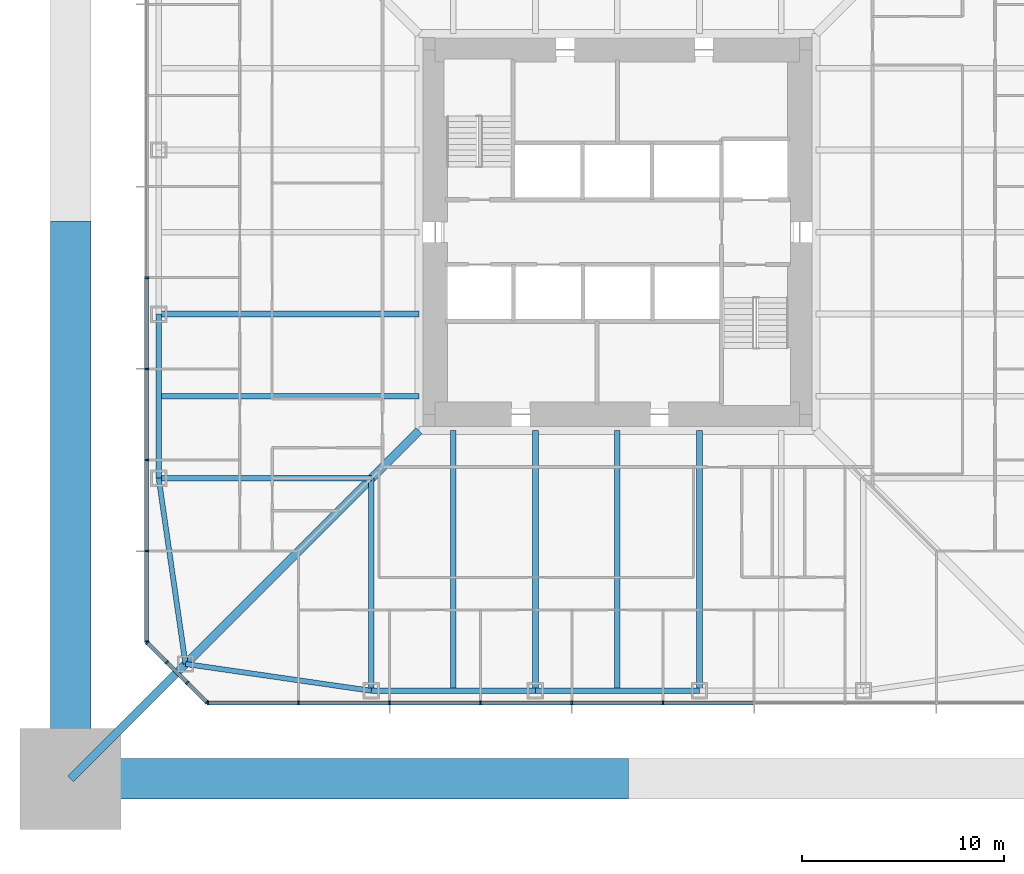
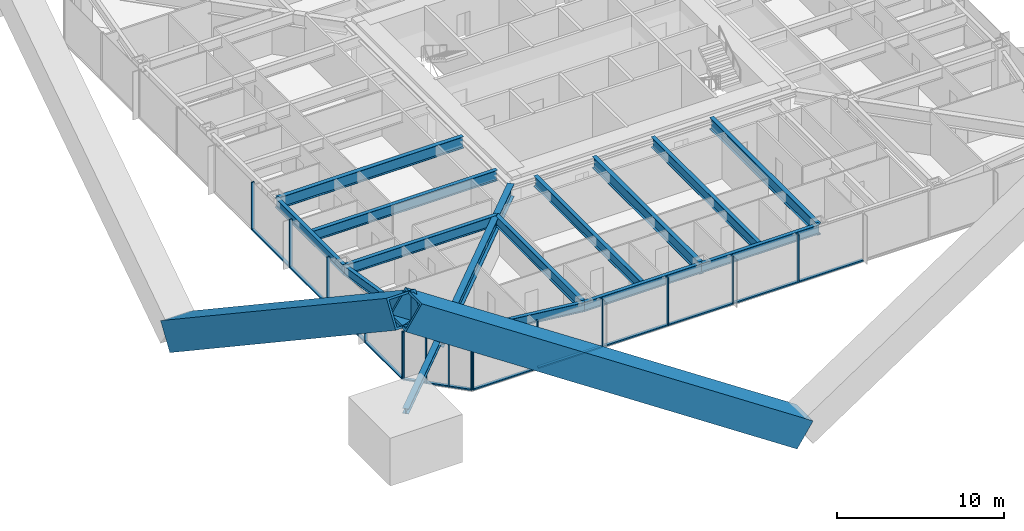
# One storey, part 3 of 27: 31 members, 14 beams, 3 elements without a shape of their own.
"""IFC4 building model written with IfcOpenShell, lengths in metres."""

import ifcopenshell
import ifcopenshell.guid

model = None  # the IFC model being written
_history = None  # IfcOwnerHistory: only IFC2X3 demands one
_inside = {}  # id of a spatial element -> (the spatial element, [elements in it])
_under = {}  # id of a project, library or spatial element -> (it, [spatial elements below it])
_declared = {}  # id of a project -> (the project, [libraries it declares])
_typed = {}  # id of a type object -> (the type object, [elements of that type])
_made_of = {}  # id of a material, layer set ... -> (it, [elements and type objects made of it])


def new_model(schema):
    """Start an empty IFC model of exactly this schema.

    Asked for "IFC4X3", IfcOpenShell would pick the latest addendum, in which some entities
    have other attributes; the version numbers below select the first issue.
    IFC2X3 requires an IfcOwnerHistory on every rooted entity: one is made here for all.
    """
    global model, _history
    if schema == "IFC4X3":
        model = ifcopenshell.file(schema_version=(4, 3, 0, 0))
    else:
        model = ifcopenshell.file(schema=schema)
    _inside.clear()
    _under.clear()
    _declared.clear()
    _typed.clear()
    _made_of.clear()
    _history = None
    if model.schema == "IFC2X3":
        org = make("IfcOrganization", Name="unknown")
        user = make(
            "IfcPersonAndOrganization",
            ThePerson=make("IfcPerson", FamilyName="unknown"),
            TheOrganization=org,
        )
        app = make(
            "IfcApplication",
            ApplicationDeveloper=org,
            Version="unknown",
            ApplicationFullName="unknown",
            ApplicationIdentifier="unknown",
        )
        _history = make(
            "IfcOwnerHistory",
            OwningUser=user,
            OwningApplication=app,
            ChangeAction="ADDED",
            CreationDate=0,
        )
    return model


def make(cls, **values):
    """One entity of the class cls with the attributes given. An attribute that is None is left unset."""
    return model.create_entity(
        cls, **{name: value for name, value in values.items() if value is not None}
    )


def rooted(cls, **values):
    """An entity with a GlobalId (a new one), such as an element, a storey or a relation."""
    return make(cls, GlobalId=ifcopenshell.guid.new(), OwnerHistory=_history, **values)


def si_unit(unit_type, name, prefix=None):
    """IfcSIUnit, for example si_unit("LENGTHUNIT", "METRE", prefix="MILLI")."""
    return make("IfcSIUnit", UnitType=unit_type, Prefix=prefix, Name=name)


def assignment(units):
    """IfcUnitAssignment: the units of a project."""
    return None if units is None else make("IfcUnitAssignment", Units=units)


def point(xyz):
    """IfcCartesianPoint."""
    return None if xyz is None else make("IfcCartesianPoint", Coordinates=xyz)


def direction(xyz):
    """IfcDirection."""
    return None if xyz is None else make("IfcDirection", DirectionRatios=xyz)


def frame(location, z_axis=None, x_axis=None):
    """IfcAxis2Placement3D, a coordinate frame: its origin and axes. An axis left out is left unset."""
    return make(
        "IfcAxis2Placement3D",
        Location=point(location),
        Axis=direction(z_axis),
        RefDirection=direction(x_axis),
    )


def frame_2d(location, x_axis=None):
    """IfcAxis2Placement2D, a coordinate frame in the plane: its origin and x axis."""
    return make(
        "IfcAxis2Placement2D", Location=point(location), RefDirection=direction(x_axis)
    )


def origin():
    """The frame at (0, 0, 0) with its axes left unset."""
    return frame((0.0, 0.0, 0.0))


def origin_2d():
    """The frame at (0, 0) in the plane with its x axis left unset."""
    return frame_2d((0.0, 0.0))


def place(relative_to, where):
    """IfcLocalPlacement: puts the frame where relative to a parent placement (None: the world)."""
    return make(
        "IfcLocalPlacement", PlacementRelTo=relative_to, RelativePlacement=where
    )


def context(
    kind, dimensions, precision=None, world=None, true_north=None, identifier=None
):
    """IfcGeometricRepresentationContext, for example the 3D "Model" context."""
    return make(
        "IfcGeometricRepresentationContext",
        ContextIdentifier=identifier,
        ContextType=kind,
        CoordinateSpaceDimension=dimensions,
        Precision=precision,
        WorldCoordinateSystem=world,
        TrueNorth=true_north,
    )


def subcontext(parent, identifier, kind, view, scale=None):
    """IfcGeometricRepresentationSubContext, for example "Body" below "Model"."""
    return make(
        "IfcGeometricRepresentationSubContext",
        ContextIdentifier=identifier,
        ContextType=kind,
        ParentContext=parent,
        TargetScale=scale,
        TargetView=view,
    )


def project(units=None, contexts=None):
    """IfcProject with its units and contexts."""
    return rooted(
        "IfcProject",
        Name="project",
        RepresentationContexts=contexts,
        UnitsInContext=assignment(units),
    )


def spatial(cls, under=None, at=None, **own):
    """A site, building, storey or space (cls), placed at a placement, below another one or the project."""
    s = rooted(cls, ObjectPlacement=at, **own)
    if under is not None:
        _under.setdefault(under.id(), (under, []))[1].append(s)
    return s


def profile(cls, at=None, kind="AREA", **sizes):
    """A parametric profile (cls). Its sizes go by their IFC names, for example OverallWidth=200.0."""
    return make(cls, ProfileType=kind, Position=at, **sizes)


def rectangle(**sizes):
    """IfcRectangleProfileDef."""
    return profile("IfcRectangleProfileDef", **sizes)


def hollow_rectangle(**sizes):
    """IfcRectangleHollowProfileDef."""
    return profile("IfcRectangleHollowProfileDef", **sizes)


def i_section(**sizes):
    """IfcIShapeProfileDef."""
    return profile("IfcIShapeProfileDef", **sizes)


def extrude(swept, where, along, depth):
    """IfcExtrudedAreaSolid: the profile swept, set in the frame where, extruded along a direction by depth."""
    return make(
        "IfcExtrudedAreaSolid",
        SweptArea=swept,
        Position=where,
        ExtrudedDirection=direction(along),
        Depth=depth,
    )


def shape(context_of_items, identifier, shape_type, items):
    """IfcShapeRepresentation: the items that make up one representation, for example the "Body"."""
    return make(
        "IfcShapeRepresentation",
        ContextOfItems=context_of_items,
        RepresentationIdentifier=identifier,
        RepresentationType=shape_type,
        Items=items,
    )


def material(Name=None, Category=None):
    """IfcMaterial."""
    return make("IfcMaterial", Name=Name, Category=Category)


def material_profile(
    of_material, cross_section, Name=None, Category=None, Priority=None
):
    """IfcMaterialProfile: a cross section and its material."""
    return make(
        "IfcMaterialProfile",
        Name=Name,
        Material=of_material,
        Profile=cross_section,
        Priority=Priority,
        Category=Category,
    )


def profile_set(profiles, Name=None, composite=None):
    """IfcMaterialProfileSet."""
    return make(
        "IfcMaterialProfileSet",
        Name=Name,
        MaterialProfiles=profiles,
        CompositeProfile=composite,
    )


def made_of(thing, what):
    """Note that an element or type object is made of a material, layer set ...; save() writes the relation."""
    if what is not None:
        _made_of.setdefault(what.id(), (what, []))[1].append(thing)
    return thing


def type_object(cls, material=None, **own):
    """A type object (cls), such as IfcWallType, which elements share."""
    return made_of(rooted(cls, **own), material)


def element(
    cls,
    number,
    at=None,
    inside=None,
    cuts=None,
    type_object=None,
    material=None,
    context=None,
    identifier="Body",
    shape_type=None,
    held_by="IfcProductDefinitionShape",
    body=None,
    shapes=None,
    **own,
):
    """One element of the class cls, such as IfcWall. Its Tag is "e" and its number.

    at: its placement. inside: the storey or other place that contains it. cuts: it is an
    opening in that element (IfcRelVoidsElement). A single representation is given by context,
    identifier, shape_type and body (its items); several are given by shapes. held_by: the class
    of the entity that holds the representations. save() writes the other relations.
    """
    e = rooted(cls, Tag="e%d" % number, ObjectPlacement=at, **own)
    if body is not None:
        shapes = [shape(context, identifier, shape_type, body)]
    if shapes is not None:
        e.Representation = make(held_by, Representations=shapes)
    if inside is not None:
        _inside.setdefault(inside.id(), (inside, []))[1].append(e)
    if cuts is not None:
        rooted(
            "IfcRelVoidsElement", RelatingBuildingElement=cuts, RelatedOpeningElement=e
        )
    if type_object is not None:
        _typed.setdefault(type_object.id(), (type_object, []))[1].append(e)
    return made_of(e, material)


def aggregate(whole, parts):
    """IfcRelAggregates: a whole, such as a stair, and the parts it consists of."""
    return rooted("IfcRelAggregates", RelatingObject=whole, RelatedObjects=parts)


def save(model, path):
    """Write the relations noted so far, then the file.

    IfcRelAggregates (storeys below a building ...), IfcRelContainedInSpatialStructure (elements
    in a storey), IfcRelDefinesByType, IfcRelAssociatesMaterial and IfcRelDeclares: one each for
    every whole, place, type object, material and project.
    """
    for whole, parts in _under.values():
        aggregate(whole, parts)
    for where, things in _inside.values():
        rooted(
            "IfcRelContainedInSpatialStructure",
            RelatedElements=things,
            RelatingStructure=where,
        )
    for kind, things in _typed.values():
        rooted("IfcRelDefinesByType", RelatedObjects=things, RelatingType=kind)
    for what, things in _made_of.values():
        rooted("IfcRelAssociatesMaterial", RelatedObjects=things, RelatingMaterial=what)
    for by, libraries in _declared.values():
        rooted("IfcRelDeclares", RelatingContext=by, RelatedDefinitions=libraries)
    model.write(path)


model = new_model("IFC4")

# Units and contexts
model_context = context("Model", 3, precision=1e-05, world=origin(), true_north=direction((0.0, 1.0)))
body_context = subcontext(model_context, "Body", "Model", "MODEL_VIEW")
ifc_project = project(units=[si_unit("LENGTHUNIT", "METRE"), si_unit("AREAUNIT", "SQUARE_METRE"), si_unit("VOLUMEUNIT", "CUBIC_METRE"), si_unit("PLANEANGLEUNIT", "RADIAN"), si_unit("MASSUNIT", "GRAM", prefix="KILO")], contexts=[model_context])

# Site, building, storey
site_placement = place(None, origin())
site = spatial("IfcSite", under=ifc_project, at=site_placement, CompositionType="ELEMENT")
building_placement = place(site_placement, origin())
building = spatial("IfcBuilding", under=site, at=building_placement, Name="Iwan Alto Co-Living Towers", CompositionType="ELEMENT")
storey_placement = place(building_placement, frame((0.0, 0.0, 25.5)))
storey = spatial("IfcBuildingStorey", under=building, at=storey_placement, Name="L06", CompositionType="ELEMENT", Elevation=25.5)

# Curtain wall, members
ifc_material_1 = material(Name="Bronze aluminium unitised frame", Category="aluminium")
curtain_wall_type_1 = type_object("IfcCurtainWallType", Name="CURTAIN WALL CW-A", PredefinedType="NOTDEFINED", material=ifc_material_1)
curtain_wall_1_placement = place(storey_placement, origin())
curtain_wall_1 = element("IfcCurtainWall", 1, at=curtain_wall_1_placement, inside=storey, type_object=curtain_wall_type_1, Name="T1 curtain wall S L06", PredefinedType="NOTDEFINED")
ifc_material_2 = material(Name="Aluminium 6063-T6 bronze anodised", Category="aluminium")
ifc_material_profile_1 = material_profile(ifc_material_2, rectangle(XDim=0.199951171875, YDim=0.080078125, at=origin_2d()), Name="AL 80X200")
ifc_profile_set_1 = profile_set([ifc_material_profile_1], Name="Aluminium 6063-T6 bronze anodised")
member_type_1 = type_object("IfcMemberType", Name="CW-A MULLION 80X200", PredefinedType="MULLION", material=ifc_profile_set_1)
member_1_placement = place(storey_placement, frame((-20.2099609375, -23.25, 0.0), z_axis=(0.0, 0.0, 1.0), x_axis=(0.0, 1.0, 0.0)))
member_1 = element("IfcMember", 2, at=member_1_placement, type_object=member_type_1, Name="CW-A mullion 1", PredefinedType="MULLION", context=body_context, shape_type="SweptSolid", body=[
    extrude(rectangle(XDim=0.199951171875, YDim=0.080078125, at=origin_2d()), origin(), (0.0, 0.0, 1.0), 3.5),
])
member_2_placement = place(storey_placement, frame((-15.75, -23.25, 0.0), z_axis=(0.0, 0.0, 1.0), x_axis=(0.0, 1.0, 0.0)))
member_2 = element("IfcMember", 3, at=member_2_placement, type_object=member_type_1, Name="CW-A mullion 2", PredefinedType="MULLION", context=body_context, shape_type="SweptSolid", body=[
    extrude(rectangle(XDim=0.199951171875, YDim=0.080078125, at=origin_2d()), origin(), (0.0, 0.0, 1.0), 3.5),
])
member_3_placement = place(storey_placement, frame((-11.25, -23.25, 0.0), z_axis=(0.0, 0.0, 1.0), x_axis=(0.0, 1.0, 0.0)))
member_3 = element("IfcMember", 4, at=member_3_placement, type_object=member_type_1, Name="CW-A mullion 3", PredefinedType="MULLION", context=body_context, shape_type="SweptSolid", body=[
    extrude(rectangle(XDim=0.199951171875, YDim=0.080078125, at=origin_2d()), origin(), (0.0, 0.0, 1.0), 3.5),
])
member_4_placement = place(storey_placement, frame((-6.75, -23.25, 0.0), z_axis=(0.0, 0.0, 1.0), x_axis=(0.0, 1.0, 0.0)))
member_4 = element("IfcMember", 5, at=member_4_placement, type_object=member_type_1, Name="CW-A mullion 4", PredefinedType="MULLION", context=body_context, shape_type="SweptSolid", body=[
    extrude(rectangle(XDim=0.199951171875, YDim=0.080078125, at=origin_2d()), origin(), (0.0, 0.0, 1.0), 3.5),
])
member_5_placement = place(storey_placement, frame((-2.25, -23.25, 0.0), z_axis=(0.0, 0.0, 1.0), x_axis=(0.0, 1.0, 0.0)))
member_5 = element("IfcMember", 6, at=member_5_placement, type_object=member_type_1, Name="CW-A mullion 5", PredefinedType="MULLION", context=body_context, shape_type="SweptSolid", body=[
    extrude(rectangle(XDim=0.199951171875, YDim=0.080078125, at=origin_2d()), origin(), (0.0, 0.0, 1.0), 3.5),
])
member_6_placement = place(storey_placement, frame((2.25, -23.25, 0.0), z_axis=(0.0, 0.0, 1.0), x_axis=(0.0, 1.0, 0.0)))
member_6 = element("IfcMember", 7, at=member_6_placement, type_object=member_type_1, Name="CW-A mullion 6", PredefinedType="MULLION", context=body_context, shape_type="SweptSolid", body=[
    extrude(rectangle(XDim=0.199951171875, YDim=0.080078125, at=origin_2d()), origin(), (0.0, 0.0, 1.0), 3.5),
])

curtain_wall_2_placement = place(storey_placement, origin())
curtain_wall_2 = element("IfcCurtainWall", 8, at=curtain_wall_2_placement, inside=storey, type_object=curtain_wall_type_1, Name="T1 curtain wall W L06", PredefinedType="NOTDEFINED")
member_7_placement = place(storey_placement, frame((-23.25, -2.25, 0.0), z_axis=(0.0, 0.0, 1.0), x_axis=(1.0, 0.0, 0.0)))
member_7 = element("IfcMember", 9, at=member_7_placement, type_object=member_type_1, Name="CW-A mullion 6", PredefinedType="MULLION", context=body_context, shape_type="SweptSolid", body=[
    extrude(rectangle(XDim=0.199951171875, YDim=0.080078125, at=origin_2d()), origin(), (0.0, 0.0, 1.0), 3.5),
])
member_8_placement = place(storey_placement, frame((-23.25, -6.75, 0.0), z_axis=(0.0, 0.0, 1.0), x_axis=(1.0, 0.0, 0.0)))
member_8 = element("IfcMember", 10, at=member_8_placement, type_object=member_type_1, Name="CW-A mullion 7", PredefinedType="MULLION", context=body_context, shape_type="SweptSolid", body=[
    extrude(rectangle(XDim=0.199951171875, YDim=0.080078125, at=origin_2d()), origin(), (0.0, 0.0, 1.0), 3.5),
])
member_9_placement = place(storey_placement, frame((-23.25, -11.25, 0.0), z_axis=(0.0, 0.0, 1.0), x_axis=(1.0, 0.0, 0.0)))
member_9 = element("IfcMember", 11, at=member_9_placement, type_object=member_type_1, Name="CW-A mullion 8", PredefinedType="MULLION", context=body_context, shape_type="SweptSolid", body=[
    extrude(rectangle(XDim=0.199951171875, YDim=0.080078125, at=origin_2d()), origin(), (0.0, 0.0, 1.0), 3.5),
])
member_10_placement = place(storey_placement, frame((-23.25, -15.75, 0.0), z_axis=(0.0, 0.0, 1.0), x_axis=(1.0, 0.0, 0.0)))
member_10 = element("IfcMember", 12, at=member_10_placement, type_object=member_type_1, Name="CW-A mullion 9", PredefinedType="MULLION", context=body_context, shape_type="SweptSolid", body=[
    extrude(rectangle(XDim=0.199951171875, YDim=0.080078125, at=origin_2d()), origin(), (0.0, 0.0, 1.0), 3.5),
])
member_11_placement = place(storey_placement, frame((-23.25, -20.2099609375, 0.0), z_axis=(0.0, 0.0, 1.0), x_axis=(1.0, 0.0, 0.0)))
member_11 = element("IfcMember", 13, at=member_11_placement, type_object=member_type_1, Name="CW-A mullion 10", PredefinedType="MULLION", context=body_context, shape_type="SweptSolid", body=[
    extrude(rectangle(XDim=0.199951171875, YDim=0.080078125, at=origin_2d()), origin(), (0.0, 0.0, 1.0), 3.5),
])

# Member
ifc_material_3 = material(Name="Aluminium 6063-T6 bronze anodised", Category="aluminium")
ifc_material_profile_2 = material_profile(ifc_material_3, rectangle(XDim=0.199951171875, YDim=0.10009765625, at=origin_2d()), Name="AL 200X100")
ifc_profile_set_2 = profile_set([ifc_material_profile_2], Name="Aluminium 6063-T6 bronze anodised")
member_type_2 = type_object("IfcMemberType", Name="CW-A TRANSOM 200X100", PredefinedType="USERDEFINED", material=ifc_profile_set_2)
member_12_placement = place(storey_placement, frame((-20.169921875, -23.25, 0.050048828125), z_axis=(1.0, 0.0, 0.0), x_axis=(0.0, 1.0, 0.0)))
member_12 = element("IfcMember", 14, at=member_12_placement, type_object=member_type_2, Name="CW-A transom 1.1", ObjectType="TRANSOM", PredefinedType="USERDEFINED", context=body_context, shape_type="SweptSolid", body=[
    extrude(rectangle(XDim=0.199951171875, YDim=0.10009765625, at=origin_2d()), origin(), (0.0, 0.0, 1.0), 4.3798828125),
])

member_13_placement = place(storey_placement, frame((-15.7099609375, -23.25, 0.050048828125), z_axis=(1.0, 0.0, 0.0), x_axis=(0.0, 1.0, 0.0)))
member_13 = element("IfcMember", 15, at=member_13_placement, type_object=member_type_2, Name="CW-A transom 2.1", ObjectType="TRANSOM", PredefinedType="USERDEFINED", context=body_context, shape_type="SweptSolid", body=[
    extrude(rectangle(XDim=0.199951171875, YDim=0.10009765625, at=origin_2d()), origin(), (0.0, 0.0, 1.0), 4.419921875),
])

member_14_placement = place(storey_placement, frame((-11.2099609375, -23.25, 0.050048828125), z_axis=(1.0, 0.0, 0.0), x_axis=(0.0, 1.0, 0.0)))
member_14 = element("IfcMember", 16, at=member_14_placement, type_object=member_type_2, Name="CW-A transom 3.1", ObjectType="TRANSOM", PredefinedType="USERDEFINED", context=body_context, shape_type="SweptSolid", body=[
    extrude(rectangle(XDim=0.199951171875, YDim=0.10009765625, at=origin_2d()), origin(), (0.0, 0.0, 1.0), 4.419921875),
])

member_15_placement = place(storey_placement, frame((-6.7099609375, -23.25, 0.050048828125), z_axis=(1.0, 0.0, 0.0), x_axis=(0.0, 1.0, 0.0)))
member_15 = element("IfcMember", 17, at=member_15_placement, type_object=member_type_2, Name="CW-A transom 4.1", ObjectType="TRANSOM", PredefinedType="USERDEFINED", context=body_context, shape_type="SweptSolid", body=[
    extrude(rectangle(XDim=0.199951171875, YDim=0.10009765625, at=origin_2d()), origin(), (0.0, 0.0, 1.0), 4.419921875),
])

member_16_placement = place(storey_placement, frame((-2.2099609375, -23.25, 0.050048828125), z_axis=(1.0, 0.0, 0.0), x_axis=(0.0, 1.0, 0.0)))
member_16 = element("IfcMember", 18, at=member_16_placement, type_object=member_type_2, Name="CW-A transom 5.1", ObjectType="TRANSOM", PredefinedType="USERDEFINED", context=body_context, shape_type="SweptSolid", body=[
    extrude(rectangle(XDim=0.199951171875, YDim=0.10009765625, at=origin_2d()), origin(), (0.0, 0.0, 1.0), 4.419921875),
])

member_17_placement = place(storey_placement, frame((2.2900390625, -23.25, 0.050048828125), z_axis=(1.0, 0.0, 0.0), x_axis=(0.0, 1.0, 0.0)))
member_17 = element("IfcMember", 19, at=member_17_placement, type_object=member_type_2, Name="CW-A transom 6.1", ObjectType="TRANSOM", PredefinedType="USERDEFINED", context=body_context, shape_type="SweptSolid", body=[
    extrude(rectangle(XDim=0.199951171875, YDim=0.10009765625, at=origin_2d()), origin(), (0.0, 0.0, 1.0), 4.419921875),
])

aggregate(curtain_wall_1, [member_1, member_2, member_3, member_4, member_5, member_6, member_12, member_13, member_14, member_15, member_16, member_17])

member_18_placement = place(storey_placement, frame((-23.25, -2.2900390625, 0.050048828125), z_axis=(0.0, -1.0, 0.0), x_axis=(1.0, 0.0, 0.0)))
member_18 = element("IfcMember", 20, at=member_18_placement, type_object=member_type_2, Name="CW-A transom 6.1", ObjectType="TRANSOM", PredefinedType="USERDEFINED", context=body_context, shape_type="SweptSolid", body=[
    extrude(rectangle(XDim=0.199951171875, YDim=0.10009765625, at=origin_2d()), origin(), (0.0, 0.0, 1.0), 4.419921875),
])

member_19_placement = place(storey_placement, frame((-23.25, -6.7900390625, 0.050048828125), z_axis=(0.0, -1.0, 0.0), x_axis=(1.0, 0.0, 0.0)))
member_19 = element("IfcMember", 21, at=member_19_placement, type_object=member_type_2, Name="CW-A transom 7.1", ObjectType="TRANSOM", PredefinedType="USERDEFINED", context=body_context, shape_type="SweptSolid", body=[
    extrude(rectangle(XDim=0.199951171875, YDim=0.10009765625, at=origin_2d()), origin(), (0.0, 0.0, 1.0), 4.419921875),
])

member_20_placement = place(storey_placement, frame((-23.25, -11.2900390625, 0.050048828125), z_axis=(0.0, -1.0, 0.0), x_axis=(1.0, 0.0, 0.0)))
member_20 = element("IfcMember", 22, at=member_20_placement, type_object=member_type_2, Name="CW-A transom 8.1", ObjectType="TRANSOM", PredefinedType="USERDEFINED", context=body_context, shape_type="SweptSolid", body=[
    extrude(rectangle(XDim=0.199951171875, YDim=0.10009765625, at=origin_2d()), origin(), (0.0, 0.0, 1.0), 4.419921875),
])

member_21_placement = place(storey_placement, frame((-23.25, -15.7900390625, 0.050048828125), z_axis=(0.0, -1.0, 0.0), x_axis=(1.0, 0.0, 0.0)))
member_21 = element("IfcMember", 23, at=member_21_placement, type_object=member_type_2, Name="CW-A transom 9.1", ObjectType="TRANSOM", PredefinedType="USERDEFINED", context=body_context, shape_type="SweptSolid", body=[
    extrude(rectangle(XDim=0.199951171875, YDim=0.10009765625, at=origin_2d()), origin(), (0.0, 0.0, 1.0), 4.3798828125),
])

aggregate(curtain_wall_2, [member_7, member_8, member_9, member_10, member_11, member_18, member_19, member_20, member_21])

# Curtain wall, members
ifc_material_4 = material(Name="Bronze aluminium unitised frame", Category="aluminium")
curtain_wall_type_2 = type_object("IfcCurtainWallType", Name="CURTAIN WALL CW-B", PredefinedType="NOTDEFINED", material=ifc_material_4)
curtain_wall_3_placement = place(storey_placement, origin())
curtain_wall_3 = element("IfcCurtainWall", 24, at=curtain_wall_3_placement, inside=storey, type_object=curtain_wall_type_2, Name="T1 chamfer curtain wall SW L06", PredefinedType="NOTDEFINED")
ifc_material_5 = material(Name="Aluminium 6063-T6 bronze anodised", Category="aluminium")
ifc_material_profile_3 = material_profile(ifc_material_5, rectangle(XDim=0.199951171875, YDim=0.080078125, at=origin_2d()), Name="AL 80X200")
ifc_profile_set_3 = profile_set([ifc_material_profile_3], Name="Aluminium 6063-T6 bronze anodised")
member_type_3 = type_object("IfcMemberType", Name="CW-B MULLION 80X200", PredefinedType="MULLION", material=ifc_profile_set_3)
member_22_placement = place(storey_placement, frame((-23.2216796875, -20.2783203125, 0.0), z_axis=(0.0, 0.0, 1.0), x_axis=(0.707106781187, 0.707106781187, 0.0)))
member_22 = element("IfcMember", 25, at=member_22_placement, type_object=member_type_3, Name="CW-B mullion 1", PredefinedType="MULLION", context=body_context, shape_type="SweptSolid", body=[
    extrude(rectangle(XDim=0.199951171875, YDim=0.080078125, at=origin_2d()), origin(), (0.0, 0.0, 1.0), 3.5),
])
member_23_placement = place(storey_placement, frame((-22.25, -21.25, 0.0), z_axis=(0.0, 0.0, 1.0), x_axis=(0.707106781187, 0.707106781187, 0.0)))
member_23 = element("IfcMember", 26, at=member_23_placement, type_object=member_type_3, Name="CW-B mullion 2", PredefinedType="MULLION", context=body_context, shape_type="SweptSolid", body=[
    extrude(rectangle(XDim=0.199951171875, YDim=0.080078125, at=origin_2d()), origin(), (0.0, 0.0, 1.0), 3.5),
])
member_24_placement = place(storey_placement, frame((-21.25, -22.25, 0.0), z_axis=(0.0, 0.0, 1.0), x_axis=(0.707106781187, 0.707106781187, 0.0)))
member_24 = element("IfcMember", 27, at=member_24_placement, type_object=member_type_3, Name="CW-B mullion 3", PredefinedType="MULLION", context=body_context, shape_type="SweptSolid", body=[
    extrude(rectangle(XDim=0.199951171875, YDim=0.080078125, at=origin_2d()), origin(), (0.0, 0.0, 1.0), 3.5),
])
member_25_placement = place(storey_placement, frame((-20.2783203125, -23.2216796875, 0.0), z_axis=(0.0, 0.0, 1.0), x_axis=(0.707106781187, 0.707106781187, 0.0)))
member_25 = element("IfcMember", 28, at=member_25_placement, type_object=member_type_3, Name="CW-B mullion 4", PredefinedType="MULLION", context=body_context, shape_type="SweptSolid", body=[
    extrude(rectangle(XDim=0.199951171875, YDim=0.080078125, at=origin_2d()), origin(), (0.0, 0.0, 1.0), 3.5),
])
ifc_material_6 = material(Name="Aluminium 6063-T6 bronze anodised", Category="aluminium")
ifc_material_profile_4 = material_profile(ifc_material_6, rectangle(XDim=0.199951171875, YDim=0.10009765625, at=origin_2d()), Name="AL 200X100")
ifc_profile_set_4 = profile_set([ifc_material_profile_4], Name="Aluminium 6063-T6 bronze anodised")
member_type_4 = type_object("IfcMemberType", Name="CW-B TRANSOM 200X100", PredefinedType="USERDEFINED", material=ifc_profile_set_4)
member_26_placement = place(storey_placement, frame((-23.193359375, -20.306640625, 0.050048828125), z_axis=(0.707106781187, -0.707106781187, 0.0), x_axis=(0.707106781187, 0.707106781187, 0.0)))
member_26 = element("IfcMember", 29, at=member_26_placement, type_object=member_type_4, Name="CW-B transom 1.1", ObjectType="TRANSOM", PredefinedType="USERDEFINED", context=body_context, shape_type="SweptSolid", body=[
    extrude(rectangle(XDim=0.199951171875, YDim=0.10009765625, at=origin_2d()), origin(), (0.0, 0.0, 1.0), 1.2939453125),
])
member_27_placement = place(storey_placement, frame((-22.2216796875, -21.2783203125, 0.050048828125), z_axis=(0.707106781187, -0.707106781187, 0.0), x_axis=(0.707106781187, 0.707106781187, 0.0)))
member_27 = element("IfcMember", 30, at=member_27_placement, type_object=member_type_4, Name="CW-B transom 2.1", ObjectType="TRANSOM", PredefinedType="USERDEFINED", context=body_context, shape_type="SweptSolid", body=[
    extrude(rectangle(XDim=0.199951171875, YDim=0.10009765625, at=origin_2d()), origin(), (0.0, 0.0, 1.0), 1.334228515625),
])
member_28_placement = place(storey_placement, frame((-21.2216796875, -22.2783203125, 0.050048828125), z_axis=(0.707106781187, -0.707106781187, 0.0), x_axis=(0.707106781187, 0.707106781187, 0.0)))
member_28 = element("IfcMember", 31, at=member_28_placement, type_object=member_type_4, Name="CW-B transom 3.1", ObjectType="TRANSOM", PredefinedType="USERDEFINED", context=body_context, shape_type="SweptSolid", body=[
    extrude(rectangle(XDim=0.199951171875, YDim=0.10009765625, at=origin_2d()), origin(), (0.0, 0.0, 1.0), 1.2939453125),
])
aggregate(curtain_wall_3, [member_22, member_23, member_24, member_25, member_26, member_27, member_28])

# Beams
ifc_material_7 = material(Name="Steel ASTM A992 Gr 50", Category="steel")
ifc_material_profile_5 = material_profile(ifc_material_7, i_section(OverallWidth=0.419189453125, OverallDepth=0.927001953125, WebThickness=0.019287109375, FlangeThickness=0.031982421875, at=origin_2d()), Name="W36X231")
ifc_profile_set_5 = profile_set([ifc_material_profile_5], Name="Steel ASTM A992 Gr 50")
beam_type_1 = type_object("IfcBeamType", Name="T1 CORNER GIRDER W36X231", PredefinedType="BEAM", material=ifc_profile_set_5)
beam_1_placement = place(storey_placement, frame((-21.32568359375, -21.32568359375, 2.806396484375), z_axis=(0.707106781187, 0.707106781187, 0.0), x_axis=(-0.707106781187, 0.707106781187, 0.0)))
element("IfcBeam", 32, at=beam_1_placement, inside=storey, type_object=beam_type_1, Name="T1 corner girder CSW L07", PredefinedType="BEAM", context=body_context, shape_type="SweptSolid", body=[
    extrude(i_section(OverallWidth=0.419189453125, OverallDepth=0.927001953125, WebThickness=0.019287109375, FlangeThickness=0.031982421875, at=origin_2d()), origin(), (0.0, 0.0, 1.0), 16.296875),
])
ifc_material_8 = material(Name="Steel ASTM A992 Gr 50", Category="steel")
ifc_material_profile_6 = material_profile(ifc_material_8, i_section(OverallWidth=0.25390625, OverallDepth=0.683349609375, WebThickness=0.012451171875, FlangeThickness=0.018798828125, at=origin_2d()), Name="W27X94")
ifc_profile_set_6 = profile_set([ifc_material_profile_6], Name="Steel ASTM A992 Gr 50")
beam_type_2 = type_object("IfcBeamType", Name="T1 EDGE BEAM W27X94", PredefinedType="BEAM", material=ifc_profile_set_6)
beam_2_placement = place(storey_placement, frame((-21.32568359375, -21.32568359375, 2.928466796875), z_axis=(0.989746234347, -0.142836940589, 0.0), x_axis=(0.142836940589, 0.989746234347, 0.0)))
element("IfcBeam", 33, at=beam_2_placement, inside=storey, type_object=beam_type_2, Name="T1 edge beam CSW L07", PredefinedType="BEAM", context=body_context, shape_type="SweptSolid", body=[
    extrude(i_section(OverallWidth=0.25390625, OverallDepth=0.683349609375, WebThickness=0.012451171875, FlangeThickness=0.018798828125, at=origin_2d()), origin(), (0.0, 0.0, 1.0), 9.270751953125),
])
beam_3_placement = place(storey_placement, frame((-12.14990234375, -22.64990234375, 2.928466796875), z_axis=(1.0, 0.0, 0.0), x_axis=(0.0, 1.0, 0.0)))
element("IfcBeam", 34, at=beam_3_placement, inside=storey, type_object=beam_type_2, Name="T1 edge beam S1 L07", PredefinedType="BEAM", context=body_context, shape_type="SweptSolid", body=[
    extrude(i_section(OverallWidth=0.25390625, OverallDepth=0.683349609375, WebThickness=0.012451171875, FlangeThickness=0.018798828125, at=origin_2d()), origin(), (0.0, 0.0, 1.0), 8.099853515625),
])
beam_4_placement = place(storey_placement, frame((-4.050048828125, -22.64990234375, 2.928466796875), z_axis=(1.0, 0.0, 0.0), x_axis=(0.0, 1.0, 0.0)))
element("IfcBeam", 35, at=beam_4_placement, inside=storey, type_object=beam_type_2, Name="T1 edge beam S2 L07", PredefinedType="BEAM", context=body_context, shape_type="SweptSolid", body=[
    extrude(i_section(OverallWidth=0.25390625, OverallDepth=0.683349609375, WebThickness=0.012451171875, FlangeThickness=0.018798828125, at=origin_2d()), origin(), (0.0, 0.0, 1.0), 8.10009765625),
])
beam_5_placement = place(storey_placement, frame((-22.64990234375, -4.050048828125, 2.928466796875), z_axis=(0.0, -1.0, 0.0), x_axis=(1.0, 0.0, 0.0)))
element("IfcBeam", 36, at=beam_5_placement, inside=storey, type_object=beam_type_2, Name="T1 edge beam W3 L07", PredefinedType="BEAM", context=body_context, shape_type="SweptSolid", body=[
    extrude(i_section(OverallWidth=0.25390625, OverallDepth=0.683349609375, WebThickness=0.012451171875, FlangeThickness=0.018798828125, at=origin_2d()), origin(), (0.0, 0.0, 1.0), 8.099853515625),
])
beam_6_placement = place(storey_placement, frame((-22.64990234375, -12.14990234375, 2.928466796875), z_axis=(0.142836940589, -0.989746234347, 0.0), x_axis=(0.989746234347, 0.142836940589, 0.0)))
element("IfcBeam", 37, at=beam_6_placement, inside=storey, type_object=beam_type_2, Name="T1 edge beam W4 L07", PredefinedType="BEAM", context=body_context, shape_type="SweptSolid", body=[
    extrude(i_section(OverallWidth=0.25390625, OverallDepth=0.683349609375, WebThickness=0.012451171875, FlangeThickness=0.018798828125, at=origin_2d()), origin(), (0.0, 0.0, 1.0), 9.270751953125),
])

# Members
ifc_material_9 = material(Name="Steel ASTM A572 Gr 42", Category="steel")
ifc_material_profile_7 = material_profile(ifc_material_9, hollow_rectangle(XDim=2.0, YDim=2.0, WallThickness=0.139892578125, at=origin_2d()), Name="BOX 2000X2000X140")
ifc_profile_set_7 = profile_set([ifc_material_profile_7], Name="Steel ASTM A572 Gr 42")
member_type_5 = type_object("IfcMemberType", Name="T1 MEGA BRACE BOX 2000X2000X140", PredefinedType="BRACE", material=ifc_profile_set_7)
for number, where, z_axis, x_axis, name in (
    (38, (0.0, -27.0, -7.5), (-0.832050294338, 0.0, 0.554700196225), (0.0, -1.0, 0.0), "T1 mega brace Z1A S 2 upper"),
    (39, (-27.0, 0.0, -7.5), (0.0, -0.832050294338, 0.554700196225), (1.0, 0.0, 0.0), "T1 mega brace Z1A W 1 upper"),
):
    element("IfcMember", number, at=place(storey_placement, frame(where, z_axis=z_axis, x_axis=x_axis)), inside=storey, type_object=member_type_5, Name=name, PredefinedType="BRACE", context=body_context, shape_type="SweptSolid", body=[
        extrude(hollow_rectangle(XDim=2.0, YDim=2.0, WallThickness=0.139892578125, at=origin_2d()), origin(), (0.0, 0.0, 1.0), 32.449951171875),
    ])
ifc_material_10 = material(Name="Steel ASTM A992 Gr 50", Category="steel")
ifc_material_profile_8 = material_profile(ifc_material_10, i_section(OverallWidth=0.393798828125, OverallDepth=0.3759765625, WebThickness=0.017333984375, FlangeThickness=0.027587890625, at=origin_2d()), Name="W14X145")
ifc_profile_set_8 = profile_set([ifc_material_profile_8], Name="Steel ASTM A992 Gr 50")
member_type_6 = type_object("IfcMemberType", Name="T1 MEGA COLUMN FLOOR TIE W14X145", PredefinedType="STRUT", material=ifc_profile_set_8)
member_29_placement = place(storey_placement, frame((-27.0, -27.0, 3.08203125), z_axis=(0.707106781187, 0.707106781187, 0.0), x_axis=(-0.707106781187, 0.707106781187, 0.0)))
element("IfcMember", 40, at=member_29_placement, inside=storey, type_object=member_type_6, Name="T1 mega column floor tie SW L07", PredefinedType="STRUT", context=body_context, shape_type="SweptSolid", body=[
    extrude(i_section(OverallWidth=0.393798828125, OverallDepth=0.3759765625, WebThickness=0.017333984375, FlangeThickness=0.027587890625, at=origin_2d()), origin(), (0.0, 0.0, 1.0), 8.024658203125),
])

# Beams
ifc_material_11 = material(Name="Steel ASTM A992 Gr 50", Category="steel")
ifc_material_profile_9 = material_profile(ifc_material_11, i_section(OverallWidth=0.2666015625, OverallDepth=0.761962890625, WebThickness=0.014404296875, FlangeThickness=0.021484375, at=origin_2d()), Name="W30X116")
ifc_profile_set_9 = profile_set([ifc_material_profile_9], Name="Steel ASTM A992 Gr 50")
beam_type_3 = type_object("IfcBeamType", Name="T1 RADIAL BEAM W30X116", PredefinedType="BEAM", material=ifc_profile_set_9)
for number, where, z_axis, x_axis, name in (
    (41, (-12.14990234375, -22.64990234375, 2.888916015625), (0.0, 1.0, 0.0), (-1.0, 0.0, 0.0), "T1 radial beam S1 L07"),
    (42, (-22.64990234375, -12.14990234375, 2.888916015625), (1.0, 0.0, 0.0), (0.0, 1.0, 0.0), "T1 radial beam W4 L07"),
):
    element("IfcBeam", number, at=place(storey_placement, frame(where, z_axis=z_axis, x_axis=x_axis)), inside=storey, type_object=beam_type_3, Name=name, PredefinedType="BEAM", context=body_context, shape_type="SweptSolid", body=[
        extrude(i_section(OverallWidth=0.2666015625, OverallDepth=0.761962890625, WebThickness=0.014404296875, FlangeThickness=0.021484375, at=origin_2d()), origin(), (0.0, 0.0, 1.0), 10.5),
    ])
ifc_material_12 = material(Name="Steel ASTM A992 Gr 50", Category="steel")
ifc_material_profile_10 = material_profile(ifc_material_12, i_section(OverallWidth=0.2919921875, OverallDepth=0.8408203125, WebThickness=0.0146484375, FlangeThickness=0.021728515625, at=origin_2d()), Name="W33X130")
ifc_profile_set_10 = profile_set([ifc_material_profile_10], Name="Steel ASTM A992 Gr 50")
beam_type_4 = type_object("IfcBeamType", Name="T1 RADIAL BEAM W33X130", PredefinedType="BEAM", material=ifc_profile_set_10)
for number, where, z_axis, x_axis, name in (
    (43, (-4.050048828125, -22.64990234375, 2.849609375), (0.0, 1.0, 0.0), (-1.0, 0.0, 0.0), "T1 radial beam S2 L07"),
    (44, (4.050048828125, -22.64990234375, 2.849609375), (0.0, 1.0, 0.0), (-1.0, 0.0, 0.0), "T1 radial beam S3 L07"),
    (45, (-22.64990234375, -4.050048828125, 2.849609375), (1.0, 0.0, 0.0), (0.0, 1.0, 0.0), "T1 radial beam W3 L07"),
):
    element("IfcBeam", number, at=place(storey_placement, frame(where, z_axis=z_axis, x_axis=x_axis)), inside=storey, type_object=beam_type_4, Name=name, PredefinedType="BEAM", context=body_context, shape_type="SweptSolid", body=[
        extrude(i_section(OverallWidth=0.2919921875, OverallDepth=0.8408203125, WebThickness=0.0146484375, FlangeThickness=0.021728515625, at=origin_2d()), origin(), (0.0, 0.0, 1.0), 12.847900390625),
    ])
ifc_material_13 = material(Name="Steel ASTM A992 Gr 50", Category="steel")
ifc_material_profile_11 = material_profile(ifc_material_13, i_section(OverallWidth=0.2666015625, OverallDepth=0.761962890625, WebThickness=0.014404296875, FlangeThickness=0.021484375, at=origin_2d()), Name="W30X116")
ifc_profile_set_11 = profile_set([ifc_material_profile_11], Name="Steel ASTM A992 Gr 50")
beam_type_5 = type_object("IfcBeamType", Name="T1 SECONDARY BEAM W30X116", PredefinedType="JOIST", material=ifc_profile_set_11)
for number, where, z_axis, x_axis, name in (
    (46, (-8.10009765625, -22.64990234375, 2.888916015625), (0.0, 1.0, 0.0), (-1.0, 0.0, 0.0), "T1 secondary beam S1 L07"),
    (47, (0.0, -22.64990234375, 2.888916015625), (0.0, 1.0, 0.0), (-1.0, 0.0, 0.0), "T1 secondary beam S2 L07"),
    (48, (-22.64990234375, -8.10009765625, 2.888916015625), (1.0, 0.0, 0.0), (0.0, 1.0, 0.0), "T1 secondary beam W3 L07"),
):
    element("IfcBeam", number, at=place(storey_placement, frame(where, z_axis=z_axis, x_axis=x_axis)), inside=storey, type_object=beam_type_5, Name=name, PredefinedType="JOIST", context=body_context, shape_type="SweptSolid", body=[
        extrude(i_section(OverallWidth=0.2666015625, OverallDepth=0.761962890625, WebThickness=0.014404296875, FlangeThickness=0.021484375, at=origin_2d()), origin(), (0.0, 0.0, 1.0), 12.847900390625),
    ])

save(model, "model.ifc")
